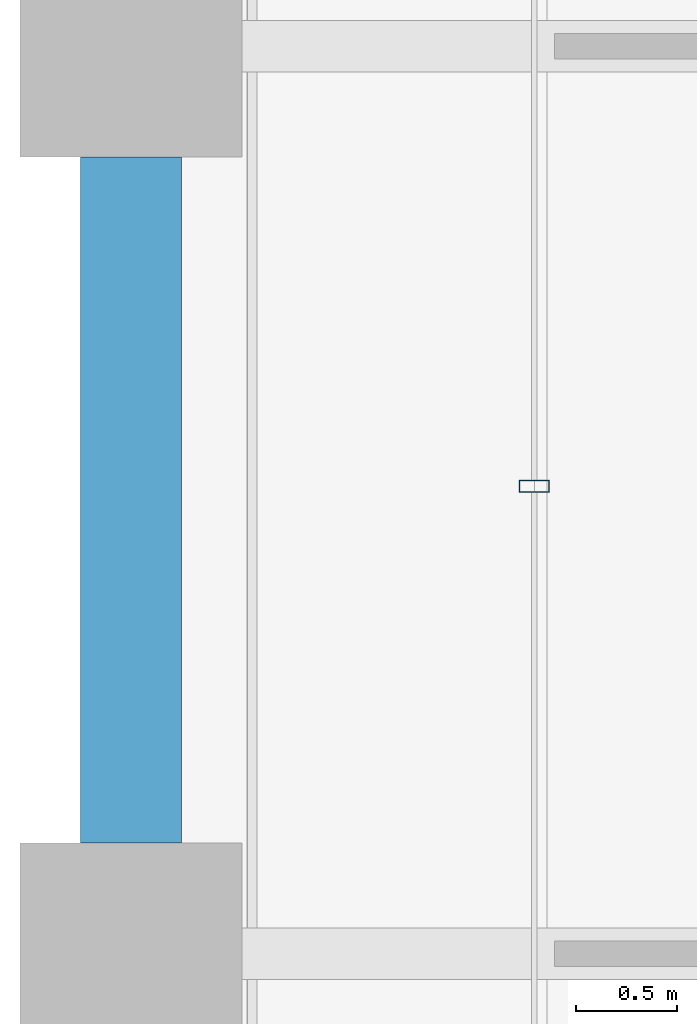
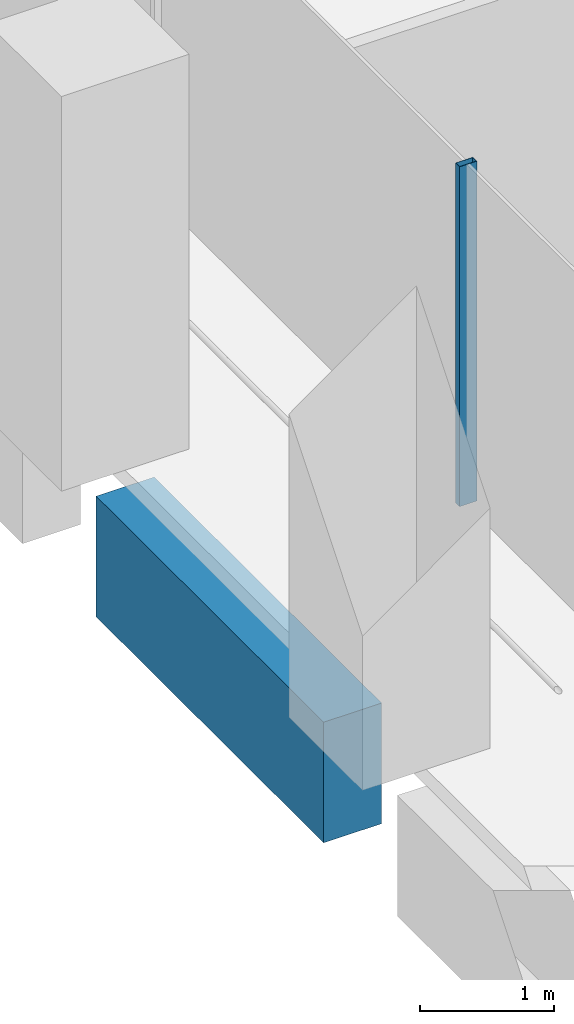
# One storey, part 12 of 56: 1 beam, 1 member, 1 element without a shape of its own.
"""IFC4 building model written with IfcOpenShell, lengths in metres."""

from ifc_helpers import new_model, si_unit, direction, frame, origin, origin_2d, place, context, subcontext, project, spatial, rectangle, hollow_rectangle, extrude, material, material_profile, profile_set, type_object, element, aggregate, save


model = new_model("IFC4")

# Units and contexts
model_context = context("Model", 3, precision=1e-05, world=origin(), true_north=direction((0.0, 1.0)))
body_context = subcontext(model_context, "Body", "Model", "MODEL_VIEW")
ifc_project = project(units=[si_unit("LENGTHUNIT", "METRE"), si_unit("AREAUNIT", "SQUARE_METRE"), si_unit("VOLUMEUNIT", "CUBIC_METRE"), si_unit("PLANEANGLEUNIT", "RADIAN"), si_unit("MASSUNIT", "GRAM", prefix="KILO")], contexts=[model_context])

# Site, building, storey
site_placement = place(None, origin())
site = spatial("IfcSite", under=ifc_project, at=site_placement, CompositionType="ELEMENT")
building_placement = place(site_placement, origin())
building = spatial("IfcBuilding", under=site, at=building_placement, Name="Altepetl Exchange Towers", CompositionType="ELEMENT")
storey_placement = place(building_placement, frame((0.0, 0.0, 76.199951171875)))
storey = spatial("IfcBuildingStorey", under=building, at=storey_placement, Name="L18", CompositionType="ELEMENT", Elevation=76.199951171875)

# Curtain wall, member
ifc_material_1 = material(Name="Aluminium 6063-T6 glazing", Category="aluminium")
curtain_wall_type = type_object("IfcCurtainWallType", Name="Loggia glazing system", PredefinedType="NOTDEFINED", material=ifc_material_1)
curtain_wall_placement = place(storey_placement, origin())
curtain_wall = element("IfcCurtainWall", 1, at=curtain_wall_placement, inside=storey, type_object=curtain_wall_type, Name="CW1 run", PredefinedType="NOTDEFINED")
ifc_material_2 = material(Name="Aluminium 6063-T6", Category="aluminium")
ifc_material_profile_1 = material_profile(ifc_material_2, hollow_rectangle(XDim=0.06005859375, YDim=0.14990234375, WallThickness=0.0029296875, at=origin_2d()), Name="Mullion 60x150 aluminium")
ifc_profile_set_1 = profile_set([ifc_material_profile_1], Name="Aluminium 6063-T6")
member_type = type_object("IfcMemberType", Name="Mullion 60x150 aluminium", PredefinedType="MULLION", material=ifc_profile_set_1)
member_placement = place(storey_placement, frame((29.0, 51.81787109375, 0.0), z_axis=(0.0, 0.0, 1.0), x_axis=(0.0, -1.0, 0.0)))
member = element("IfcMember", 2, at=member_placement, type_object=member_type, Name="MU1 mullion", PredefinedType="MULLION", context=body_context, shape_type="SweptSolid", body=[
    extrude(hollow_rectangle(XDim=0.06005859375, YDim=0.14990234375, WallThickness=0.0029296875, at=origin_2d()), origin(), (0.0, 0.0, 1.0), 3.10009765625),
])
aggregate(curtain_wall, [member])

# Beam
ifc_material_3 = material(Name="Concrete C50/60 precast with tezontle facing", Category="concrete")
ifc_material_profile_2 = material_profile(ifc_material_3, rectangle(XDim=0.5, YDim=1.10009765625, at=origin_2d()), Name="500 x 1100")
ifc_profile_set_2 = profile_set([ifc_material_profile_2], Name="Concrete C50/60 precast with tezontle facing")
beam_type = type_object("IfcBeamType", Name="Spandrel beam 500x1100 tezontle", PredefinedType="SPANDREL", material=ifc_profile_set_2)
beam_placement = place(storey_placement, frame((27.0, 53.449951171875, -0.699951171875), z_axis=(0.0, -1.0, 0.0), x_axis=(1.0, 0.0, 0.0)))
element("IfcBeam", 3, at=beam_placement, inside=storey, type_object=beam_type, Name="sp:A:L18:039", PredefinedType="SPANDREL", context=body_context, shape_type="SweptSolid", body=[
    extrude(rectangle(XDim=0.5, YDim=1.10009765625, at=origin_2d()), origin(), (0.0, 0.0, 1.0), 3.39990234375),
])

save(model, "model.ifc")
